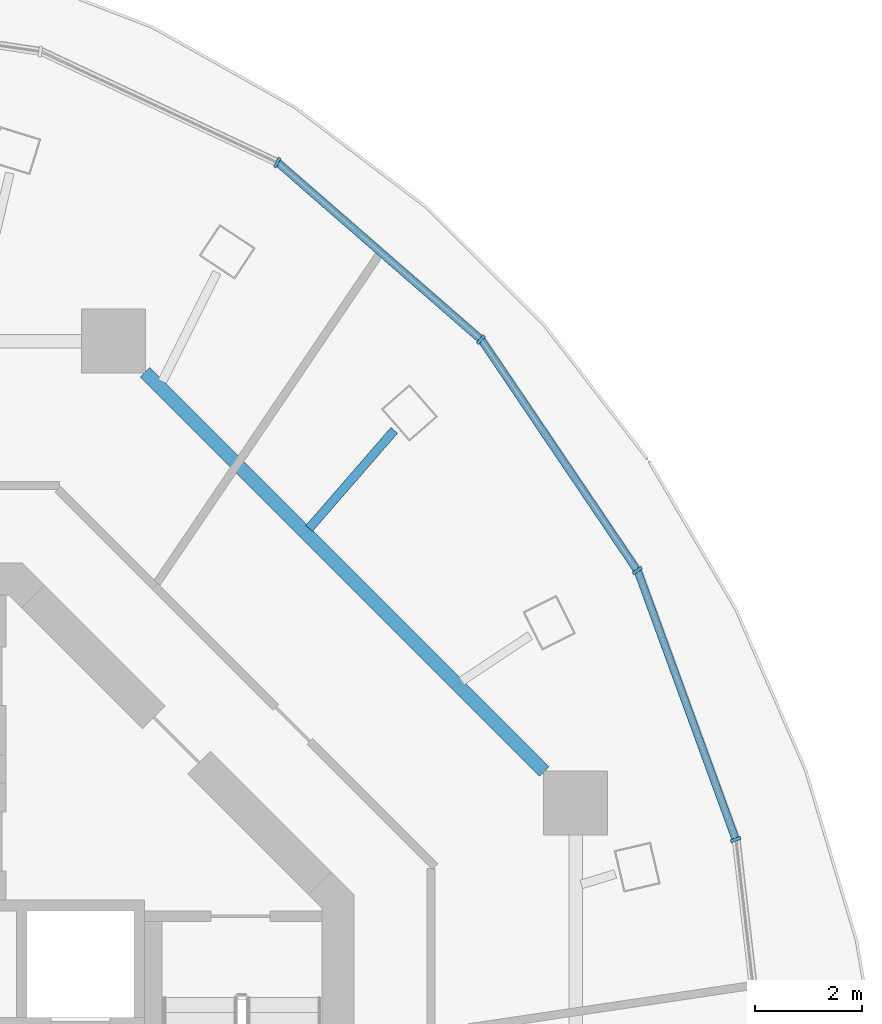
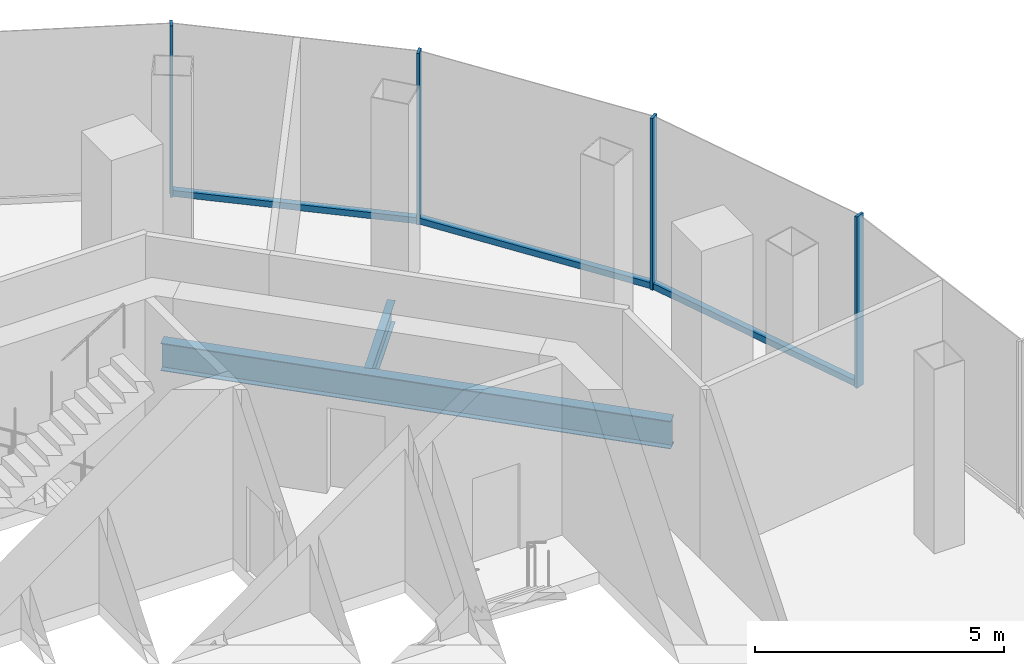
# One storey, part 5 of 12: 7 members, 2 beams, 4 elements without a shape of their own.
"""IFC4 building model written with IfcOpenShell, lengths in metres."""

from ifc_helpers import new_model, si_unit, direction, frame, origin, origin_2d, place, context, subcontext, project, spatial, rectangle, i_section, extrude, material, layer, layer_set, material_profile, profile_set, type_object, element, aggregate, save


model = new_model("IFC4")

# Units and contexts
model_context = context("Model", 3, precision=1e-05, world=origin(), true_north=direction((0.0, 1.0)))
body_context = subcontext(model_context, "Body", "Model", "MODEL_VIEW")
ifc_project = project(units=[si_unit("LENGTHUNIT", "METRE"), si_unit("AREAUNIT", "SQUARE_METRE"), si_unit("VOLUMEUNIT", "CUBIC_METRE"), si_unit("PLANEANGLEUNIT", "RADIAN"), si_unit("MASSUNIT", "GRAM", prefix="KILO")], contexts=[model_context])

# Site, building, storey
site_placement = place(None, origin())
site = spatial("IfcSite", under=ifc_project, at=site_placement, CompositionType="ELEMENT")
building_placement = place(site_placement, origin())
building = spatial("IfcBuilding", under=site, at=building_placement, Name="Nagisa Residences", CompositionType="ELEMENT")
storey_placement = place(building_placement, frame((0.0, 0.0, 315.89990234375)))
storey = spatial("IfcBuildingStorey", under=building, at=storey_placement, Name="L78", CompositionType="ELEMENT", Elevation=315.89990234375)

# Curtain wall, member
ifc_material_1 = material(Name="Aluminium curtain wall system", Category="aluminium")
ifc_layer = layer(ifc_material_1, 0.159912109375)
ifc_layer_set = layer_set([ifc_layer], Name="CW4 CURTAIN WALL")
curtain_wall_type = type_object("IfcCurtainWallType", Name="CW4 CURTAIN WALL", PredefinedType="NOTDEFINED", material=ifc_layer_set)
curtain_wall_1_placement = place(storey_placement, origin())
curtain_wall_1 = element("IfcCurtainWall", 1, at=curtain_wall_1_placement, inside=storey, type_object=curtain_wall_type, Name="cw:CW4:L78:01", PredefinedType="NOTDEFINED")
ifc_material_2 = material(Name="Aluminium", Category="aluminium")
ifc_material_profile_1 = material_profile(ifc_material_2, rectangle(XDim=0.199951171875, YDim=0.06005859375, at=origin_2d()), Name="CW4 MULLION 200x60")
ifc_profile_set_1 = profile_set([ifc_material_profile_1], Name="Aluminium")
member_type_1 = type_object("IfcMemberType", Name="CW4 MULLION 200x60", PredefinedType="MULLION", material=ifc_profile_set_1)
member_1_placement = place(storey_placement, frame((17.7841796875, 5.43603515625, 0.0), z_axis=(0.0, 0.0, 1.0), x_axis=(-0.939410855128, -0.342793298167, 0.0)))
member_1 = element("IfcMember", 2, at=member_1_placement, type_object=member_type_1, Name="CW4 mullion", PredefinedType="MULLION", context=body_context, shape_type="SweptSolid", body=[
    extrude(rectangle(XDim=0.199951171875, YDim=0.06005859375, at=origin_2d()), origin(), (0.0, 0.0, 1.0), 4.2001953125),
])

curtain_wall_2_placement = place(storey_placement, origin())
curtain_wall_2 = element("IfcCurtainWall", 3, at=curtain_wall_2_placement, inside=storey, type_object=curtain_wall_type, Name="cw:CW4:L78:02", PredefinedType="NOTDEFINED")
member_2_placement = place(storey_placement, frame((15.9384765625, 10.47998046875, 0.0), z_axis=(0.0, 0.0, 1.0), x_axis=(-0.828472554652, -0.560029665453, 0.0)))
member_2 = element("IfcMember", 4, at=member_2_placement, type_object=member_type_1, Name="CW4 mullion", PredefinedType="MULLION", context=body_context, shape_type="SweptSolid", body=[
    extrude(rectangle(XDim=0.199951171875, YDim=0.06005859375, at=origin_2d()), origin(), (0.0, 0.0, 1.0), 4.2001953125),
])

curtain_wall_3_placement = place(storey_placement, origin())
curtain_wall_3 = element("IfcCurtainWall", 5, at=curtain_wall_3_placement, inside=storey, type_object=curtain_wall_type, Name="cw:CW4:L78:03", PredefinedType="NOTDEFINED")
member_3_placement = place(storey_placement, frame((13.00634765625, 14.80859375, 0.0), z_axis=(0.0, 0.0, 1.0), x_axis=(-0.656803076821, -0.754062144839, 0.0)))
member_3 = element("IfcMember", 6, at=member_3_placement, type_object=member_type_1, Name="CW4 mullion", PredefinedType="MULLION", context=body_context, shape_type="SweptSolid", body=[
    extrude(rectangle(XDim=0.199951171875, YDim=0.06005859375, at=origin_2d()), origin(), (0.0, 0.0, 1.0), 4.2001953125),
])

curtain_wall_4_placement = place(storey_placement, origin())
curtain_wall_4 = element("IfcCurtainWall", 7, at=curtain_wall_4_placement, inside=storey, type_object=curtain_wall_type, Name="cw:CW4:L78:04", PredefinedType="NOTDEFINED")
member_4_placement = place(storey_placement, frame((9.188720703125, 18.126953125, 0.0), z_axis=(0.0, 0.0, 1.0), x_axis=(-0.425500757356, -0.90495806836, 0.0)))
member_4 = element("IfcMember", 8, at=member_4_placement, type_object=member_type_1, Name="CW4 mullion", PredefinedType="MULLION", context=body_context, shape_type="SweptSolid", body=[
    extrude(rectangle(XDim=0.199951171875, YDim=0.06005859375, at=origin_2d()), origin(), (0.0, 0.0, 1.0), 4.2001953125),
])
aggregate(curtain_wall_4, [member_4])

# Member
ifc_material_3 = material(Name="Aluminium", Category="aluminium")
ifc_material_profile_2 = material_profile(ifc_material_3, rectangle(XDim=0.139892578125, YDim=0.14990234375, at=origin_2d()), Name="CW4 TRANSOM 140x150")
ifc_profile_set_2 = profile_set([ifc_material_profile_2], Name="Aluminium")
member_type_2 = type_object("IfcMemberType", Name="CW4 TRANSOM 140x150", PredefinedType="USERDEFINED", material=ifc_profile_set_2)
member_5_placement = place(storey_placement, frame((17.79443359375, 5.40771484375, 0.0751953125), z_axis=(-0.34278268103, 0.939414729279, 0.0), x_axis=(-0.939414729279, -0.34278268103, 0.0)))
member_5 = element("IfcMember", 9, at=member_5_placement, type_object=member_type_2, Name="CW4 transom", ObjectType="TRANSOM", PredefinedType="USERDEFINED", context=body_context, shape_type="SweptSolid", body=[
    extrude(rectangle(XDim=0.139892578125, YDim=0.14990234375, at=origin_2d()), origin(), (0.0, 0.0, 1.0), 5.3916015625),
])

aggregate(curtain_wall_1, [member_1, member_5])

member_6_placement = place(storey_placement, frame((15.955078125, 10.455078125, 0.0751953125), z_axis=(-0.560011865881, 0.828484586503, 0.0), x_axis=(-0.828484586503, -0.560011865881, 0.0)))
member_6 = element("IfcMember", 10, at=member_6_placement, type_object=member_type_2, Name="CW4 transom", ObjectType="TRANSOM", PredefinedType="USERDEFINED", context=body_context, shape_type="SweptSolid", body=[
    extrude(rectangle(XDim=0.139892578125, YDim=0.14990234375, at=origin_2d()), origin(), (0.0, 0.0, 1.0), 5.249755859375),
])

aggregate(curtain_wall_2, [member_2, member_6])

member_7_placement = place(storey_placement, frame((13.029052734375, 14.788818359375, 0.0751953125), z_axis=(-0.754057031444, 0.656808947358, 0.0), x_axis=(-0.656808947358, -0.754057031444, 0.0)))
member_7 = element("IfcMember", 11, at=member_7_placement, type_object=member_type_2, Name="CW4 transom", ObjectType="TRANSOM", PredefinedType="USERDEFINED", context=body_context, shape_type="SweptSolid", body=[
    extrude(rectangle(XDim=0.139892578125, YDim=0.14990234375, at=origin_2d()), origin(), (0.0, 0.0, 1.0), 5.081298828125),
])

aggregate(curtain_wall_3, [member_3, member_7])

# Beams
ifc_material_4 = material(Name="Steel ASTM A572 Gr 50", Category="steel")
ifc_material_profile_3 = material_profile(ifc_material_4, i_section(OverallWidth=0.2529296875, OverallDepth=0.677978515625, WebThickness=0.01171875, FlangeThickness=0.016357421875, at=origin_2d()), Name="W690x125")
ifc_profile_set_3 = profile_set([ifc_material_profile_3], Name="Steel ASTM A572 Gr 50")
beam_type_1 = type_object("IfcBeamType", Name="Inner ring beam W690x125", PredefinedType="BEAM", material=ifc_profile_set_3)
beam_1_placement = place(storey_placement, frame((14.1962890625, 6.708740234375, -0.638916015625), z_axis=(-0.707106781187, 0.707106781187, 0.0), x_axis=(-0.707106781187, -0.707106781187, 0.0)))
element("IfcBeam", 12, at=beam_1_placement, inside=storey, type_object=beam_type_1, Name="beam:L78:ib1", PredefinedType="BEAM", context=body_context, shape_type="SweptSolid", body=[
    extrude(i_section(OverallWidth=0.2529296875, OverallDepth=0.677978515625, WebThickness=0.01171875, FlangeThickness=0.016357421875, at=origin_2d()), origin(), (0.0, 0.0, 1.0), 10.589111328125),
])
ifc_material_5 = material(Name="Steel ASTM A572 Gr 50", Category="steel")
ifc_material_profile_4 = material_profile(ifc_material_5, i_section(OverallWidth=0.166015625, OverallDepth=0.534912109375, WebThickness=0.01025390625, FlangeThickness=0.0166015625, at=origin_2d()), Name="W530x85")
ifc_profile_set_4 = profile_set([ifc_material_profile_4], Name="Steel ASTM A572 Gr 50")
beam_type_2 = type_object("IfcBeamType", Name="Radial beam W530x85", PredefinedType="BEAM", material=ifc_profile_set_4)
beam_2_placement = place(storey_placement, frame((11.382568359375, 13.107177734375, -0.5673828125), z_axis=(-0.655716746836, -0.755006985344, 0.0), x_axis=(0.755006985344, -0.655716746836, 0.0)))
element("IfcBeam", 13, at=beam_2_placement, inside=storey, type_object=beam_type_2, Name="beam:L78:rb04", PredefinedType="BEAM", context=body_context, shape_type="SweptSolid", body=[
    extrude(i_section(OverallWidth=0.166015625, OverallDepth=0.534912109375, WebThickness=0.01025390625, FlangeThickness=0.0166015625, at=origin_2d()), origin(), (0.0, 0.0, 1.0), 2.434326171875),
])

save(model, "model.ifc")
